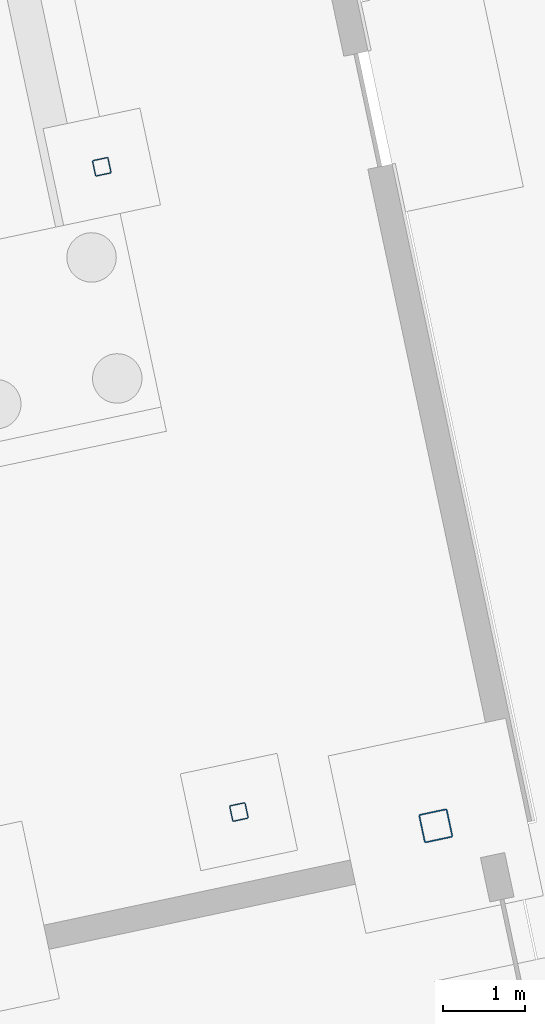
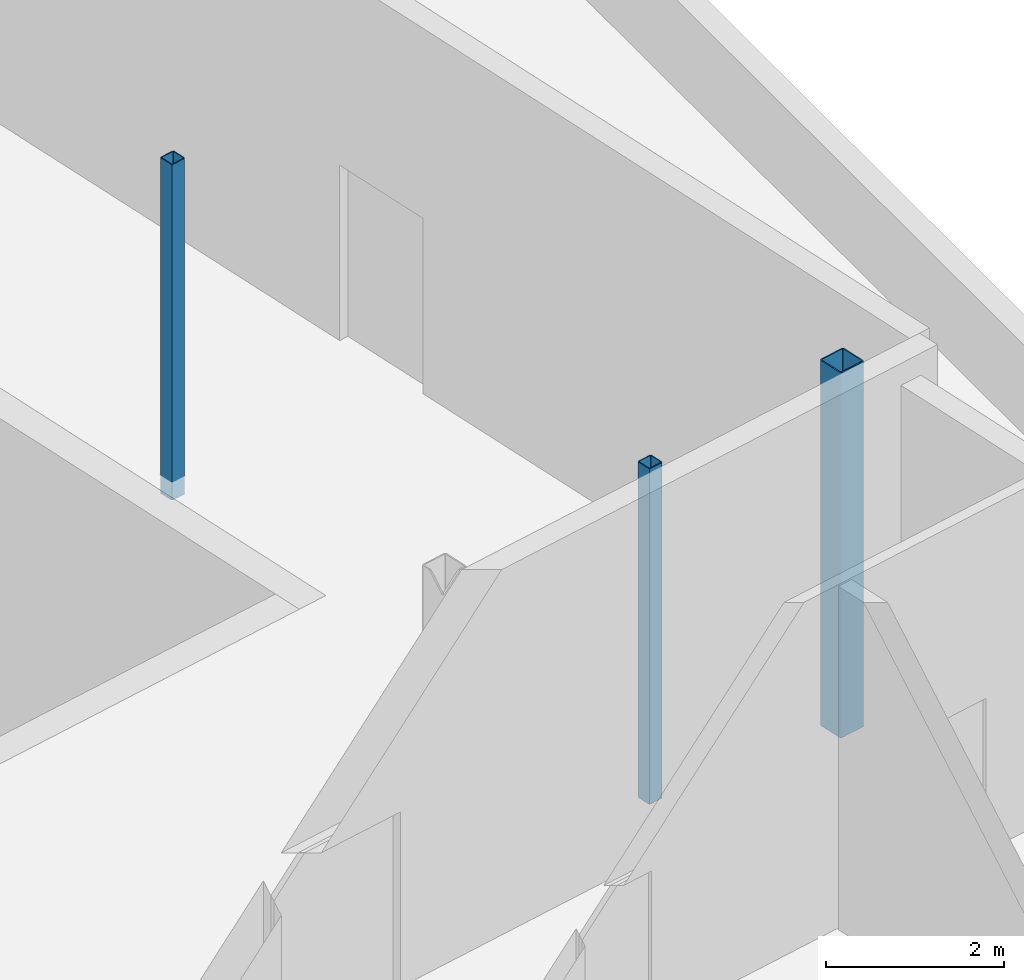
# One storey, part 22 of 157: 3 columns.
"""IFC4 building model written with IfcOpenShell, lengths in metres."""

from ifc_helpers import new_model, si_unit, direction, frame, origin, origin_2d, place, context, subcontext, project, spatial, hollow_rectangle, extrude, material, material_profile, profile_set, type_object, element, save


model = new_model("IFC4")

# Units and contexts
model_context = context("Model", 3, precision=1e-05, world=origin(), true_north=direction((0.0, 1.0)))
body_context = subcontext(model_context, "Body", "Model", "MODEL_VIEW")
ifc_project = project(units=[si_unit("LENGTHUNIT", "METRE"), si_unit("AREAUNIT", "SQUARE_METRE"), si_unit("VOLUMEUNIT", "CUBIC_METRE"), si_unit("PLANEANGLEUNIT", "RADIAN"), si_unit("MASSUNIT", "GRAM", prefix="KILO")], contexts=[model_context])

# Site, building, storey
site_placement = place(None, origin())
site = spatial("IfcSite", under=ifc_project, at=site_placement, CompositionType="ELEMENT")
building_placement = place(site_placement, origin())
building = spatial("IfcBuilding", under=site, at=building_placement, Name="Windward Yard Aquatics Centre", CompositionType="ELEMENT")
storey_placement = place(building_placement, origin())
storey = spatial("IfcBuildingStorey", under=building, at=storey_placement, Name="L00", CompositionType="ELEMENT", Elevation=0.0)

# Columns
ifc_material = material(Name="Steel ASTM A500 Gr C", Category="steel")
ifc_material_profile_1 = material_profile(ifc_material, hollow_rectangle(XDim=0.203125, YDim=0.203125, WallThickness=0.0126953125, InnerFilletRadius=0.00634765625, OuterFilletRadius=0.01904296875, at=origin_2d()), Name="HSS203X203X12.7")
ifc_profile_set_1 = profile_set([ifc_material_profile_1], Name="Steel ASTM A500 Gr C")
column_type_1 = type_object("IfcColumnType", Name="D column HSS203X203X12.7", PredefinedType="COLUMN", material=ifc_profile_set_1)
for number, where, z_axis, x_axis, name in (
    (1, (196.68359375, 49.614013671875, -0.25), (0.0, 0.0, 1.0), (0.978147600734, 0.207911690818, 0.0), "D.COL.G1"),
    (2, (195.020263671875, 57.43896484375, -0.25), (0.0, 0.0, 1.0), (0.978147600734, 0.207911690818, 0.0), "D.COL.G2"),
):
    element("IfcColumn", number, at=place(storey_placement, frame(where, z_axis=z_axis, x_axis=x_axis)), inside=storey, type_object=column_type_1, Name=name, PredefinedType="COLUMN", context=body_context, shape_type="SweptSolid", body=[
        extrude(hollow_rectangle(XDim=0.203125, YDim=0.203125, WallThickness=0.0126953125, InnerFilletRadius=0.00634765625, OuterFilletRadius=0.01904296875, at=origin_2d()), origin(), (0.0, 0.0, 1.0), 4.593994140625),
    ])
ifc_material_profile_2 = material_profile(ifc_material, hollow_rectangle(XDim=0.355712890625, YDim=0.355712890625, WallThickness=0.015869140625, InnerFilletRadius=0.008056640625, OuterFilletRadius=0.02392578125, at=origin_2d()), Name="HSS356X356X15.9")
ifc_profile_set_2 = profile_set([ifc_material_profile_2], Name="Steel ASTM A500 Gr C")
column_type_2 = type_object("IfcColumnType", Name="D column HSS356X356X15.9", PredefinedType="COLUMN", material=ifc_profile_set_2)
column_placement = place(storey_placement, frame((199.070556640625, 49.446533203125, 0.0), z_axis=(0.0, 0.0, 1.0), x_axis=(0.978147600734, 0.207911690818, 0.0)))
element("IfcColumn", 3, at=column_placement, inside=storey, type_object=column_type_2, Name="D.COL.7.1.2", PredefinedType="COLUMN", context=body_context, shape_type="SweptSolid", body=[
    extrude(hollow_rectangle(XDim=0.355712890625, YDim=0.355712890625, WallThickness=0.015869140625, InnerFilletRadius=0.008056640625, OuterFilletRadius=0.02392578125, at=origin_2d()), origin(), (0.0, 0.0, 1.0), 5.0),
])

save(model, "model.ifc")
